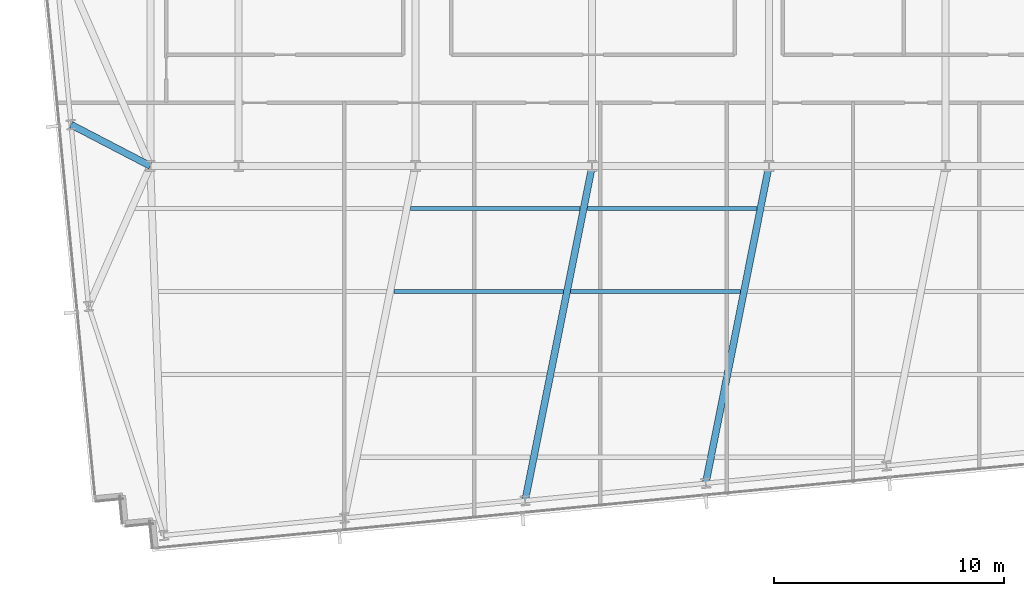
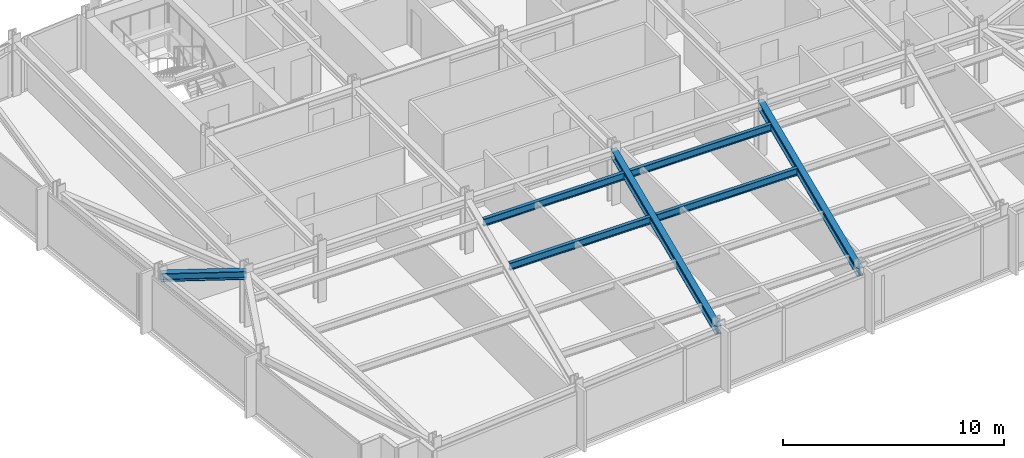
# One storey, part 5 of 32: 7 beams.
"""IFC4 building model written with IfcOpenShell, lengths in metres."""

from ifc_helpers import new_model, si_unit, direction, frame, origin, origin_2d, place, context, subcontext, project, spatial, i_section, extrude, material, material_profile, profile_set, type_object, element, save


model = new_model("IFC4")

# Units and contexts
model_context = context("Model", 3, precision=1e-05, world=origin(), true_north=direction((0.0, 1.0)))
body_context = subcontext(model_context, "Body", "Model", "MODEL_VIEW")
ifc_project = project(units=[si_unit("LENGTHUNIT", "METRE"), si_unit("AREAUNIT", "SQUARE_METRE"), si_unit("VOLUMEUNIT", "CUBIC_METRE"), si_unit("PLANEANGLEUNIT", "RADIAN"), si_unit("MASSUNIT", "GRAM", prefix="KILO")], contexts=[model_context])

# Site, building, storey
site_placement = place(None, origin())
site = spatial("IfcSite", under=ifc_project, at=site_placement, CompositionType="ELEMENT")
building_placement = place(site_placement, origin())
building = spatial("IfcBuilding", under=site, at=building_placement, Name="Yelkora Congress Tower", CompositionType="ELEMENT")
storey_placement = place(building_placement, frame((0.0, 0.0, 133.89990234375)))
storey = spatial("IfcBuildingStorey", under=building, at=storey_placement, Name="L36", CompositionType="ELEMENT", Elevation=133.89990234375)

# Beams
ifc_material = material(Name="Steel S355J2", Category="steel")
ifc_material_profile_1 = material_profile(ifc_material, i_section(OverallWidth=0.300048828125, OverallDepth=0.449951171875, WebThickness=0.013916015625, FlangeThickness=0.02587890625, FilletRadius=0.027099609375, at=origin_2d()), Name="HEB 450")
ifc_profile_set_1 = profile_set([ifc_material_profile_1], Name="Steel S355J2")
beam_type_1 = type_object("IfcBeamType", Name="BM-GIRD-HEB450", PredefinedType="BEAM", material=ifc_profile_set_1)
beam_1_placement = place(storey_placement, frame((35.48486328125, 10.656005859375, 2.755126953125), z_axis=(0.196521264673, 0.980499562739, 0.0), x_axis=(-0.980499562739, 0.196521264673, 0.0)))
element("IfcBeam", 1, at=beam_1_placement, inside=storey, type_object=beam_type_1, Name="L36 Primary Frame Girder S03", PredefinedType="BEAM", context=body_context, shape_type="SweptSolid", body=[
    extrude(i_section(OverallWidth=0.300048828125, OverallDepth=0.449951171875, WebThickness=0.013916015625, FlangeThickness=0.02587890625, FilletRadius=0.027099609375, at=origin_2d()), origin(), (0.0, 0.0, 1.0), 14.833251953125),
])
beam_2_placement = place(storey_placement, frame((43.334228515625, 11.411865234375, 2.755126953125), z_axis=(0.195311238928, 0.980741311432, 0.0), x_axis=(-0.980741311432, 0.195311238928, 0.0)))
element("IfcBeam", 2, at=beam_2_placement, inside=storey, type_object=beam_type_1, Name="L36 Primary Frame Girder S04", PredefinedType="BEAM", context=body_context, shape_type="SweptSolid", body=[
    extrude(i_section(OverallWidth=0.300048828125, OverallDepth=0.449951171875, WebThickness=0.013916015625, FlangeThickness=0.02587890625, FilletRadius=0.027099609375, at=origin_2d()), origin(), (0.0, 0.0, 1.0), 14.058837890625),
])
beam_3_placement = place(storey_placement, frame((15.757080078125, 26.990478515625, 2.755126953125), z_axis=(0.887192078676, -0.461400276912, 0.0), x_axis=(0.461400276912, 0.887192078676, 0.0)))
element("IfcBeam", 3, at=beam_3_placement, inside=storey, type_object=beam_type_1, Name="L36 Primary Frame Girder W02", PredefinedType="BEAM", context=body_context, shape_type="SweptSolid", body=[
    extrude(i_section(OverallWidth=0.300048828125, OverallDepth=0.449951171875, WebThickness=0.013916015625, FlangeThickness=0.02587890625, FilletRadius=0.027099609375, at=origin_2d()), origin(), (0.0, 0.0, 1.0), 3.880615234375),
])
ifc_material_profile_2 = material_profile(ifc_material, i_section(OverallWidth=0.179931640625, OverallDepth=0.39990234375, WebThickness=0.008544921875, FlangeThickness=0.013427734375, FilletRadius=0.02099609375, at=origin_2d()), Name="IPE 400")
ifc_profile_set_2 = profile_set([ifc_material_profile_2], Name="Steel S355J2")
beam_type_2 = type_object("IfcBeamType", Name="BM-JOIST-IPE400", PredefinedType="JOIST", material=ifc_profile_set_2)
beam_4_placement = place(storey_placement, frame((29.780029296875, 19.744384765625, 2.780029296875), z_axis=(1.0, 0.0, 0.0), x_axis=(0.0, 1.0, 0.0)))
element("IfcBeam", 4, at=beam_4_placement, inside=storey, type_object=beam_type_2, Name="L36 Composite Floor Joist 12", PredefinedType="JOIST", context=body_context, shape_type="SweptSolid", body=[
    extrude(i_section(OverallWidth=0.179931640625, OverallDepth=0.39990234375, WebThickness=0.008544921875, FlangeThickness=0.013427734375, FilletRadius=0.02099609375, at=origin_2d()), origin(), (0.0, 0.0, 1.0), 7.366455078125),
])
beam_5_placement = place(storey_placement, frame((37.466552734375, 19.744384765625, 2.780029296875), z_axis=(1.0, 0.0, 0.0), x_axis=(0.0, 1.0, 0.0)))
element("IfcBeam", 5, at=beam_5_placement, inside=storey, type_object=beam_type_2, Name="L36 Composite Floor Joist 13", PredefinedType="JOIST", context=body_context, shape_type="SweptSolid", body=[
    extrude(i_section(OverallWidth=0.179931640625, OverallDepth=0.39990234375, WebThickness=0.008544921875, FlangeThickness=0.013427734375, FilletRadius=0.02099609375, at=origin_2d()), origin(), (0.0, 0.0, 1.0), 7.366943359375),
])
beam_6_placement = place(storey_placement, frame((30.505859375, 23.344482421875, 2.780029296875), z_axis=(1.0, 0.0, 0.0), x_axis=(0.0, 1.0, 0.0)))
element("IfcBeam", 6, at=beam_6_placement, inside=storey, type_object=beam_type_2, Name="L36 Composite Floor Joist 19", PredefinedType="JOIST", context=body_context, shape_type="SweptSolid", body=[
    extrude(i_section(OverallWidth=0.179931640625, OverallDepth=0.39990234375, WebThickness=0.008544921875, FlangeThickness=0.013427734375, FilletRadius=0.02099609375, at=origin_2d()), origin(), (0.0, 0.0, 1.0), 7.3623046875),
])
beam_7_placement = place(storey_placement, frame((38.18798828125, 23.344482421875, 2.780029296875), z_axis=(1.0, 0.0, 0.0), x_axis=(0.0, 1.0, 0.0)))
element("IfcBeam", 7, at=beam_7_placement, inside=storey, type_object=beam_type_2, Name="L36 Composite Floor Joist 20", PredefinedType="JOIST", context=body_context, shape_type="SweptSolid", body=[
    extrude(i_section(OverallWidth=0.179931640625, OverallDepth=0.39990234375, WebThickness=0.008544921875, FlangeThickness=0.013427734375, FilletRadius=0.02099609375, at=origin_2d()), origin(), (0.0, 0.0, 1.0), 7.362548828125),
])

save(model, "model.ifc")
